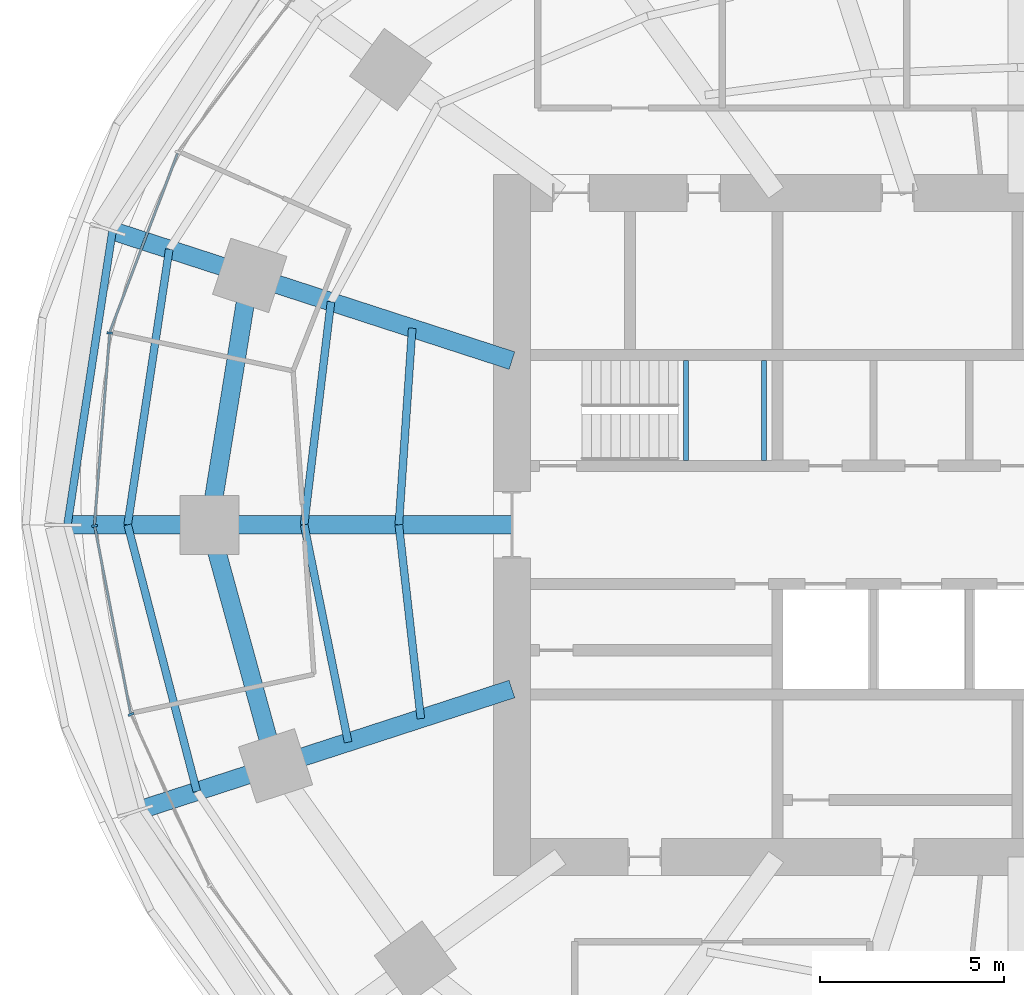
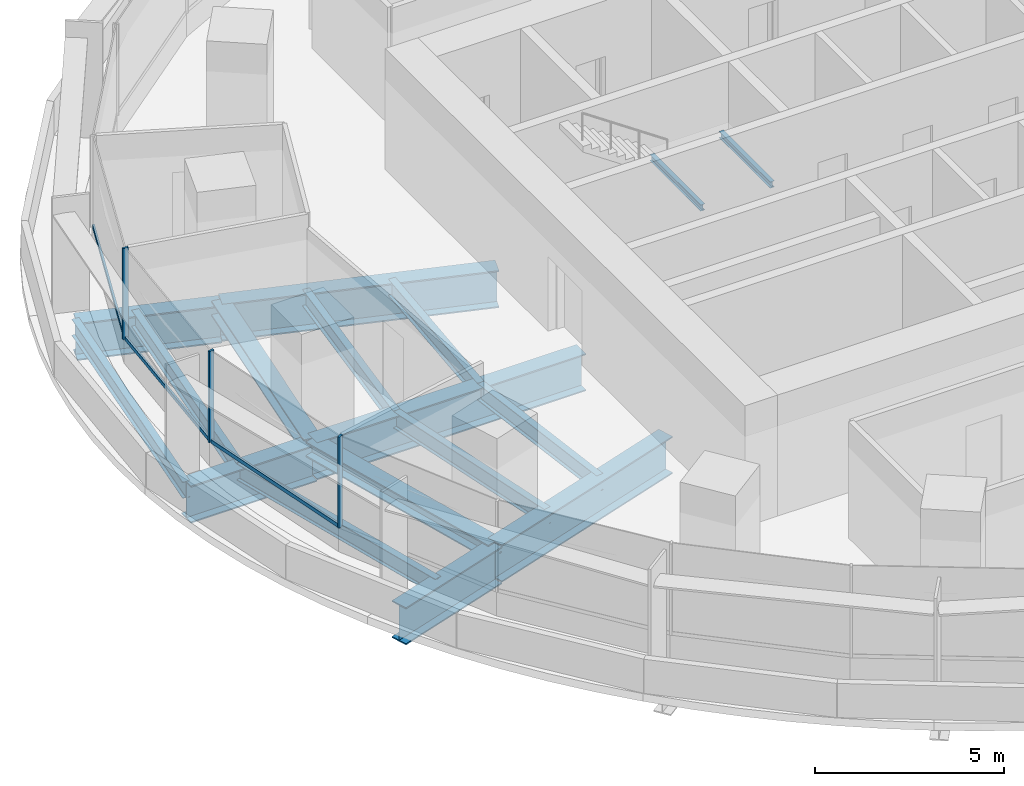
# One storey, part 4 of 15: 15 beams, 8 members, 2 elements without a shape of their own.
"""IFC4 building model written with IfcOpenShell, lengths in metres."""

from ifc_helpers import new_model, si_unit, direction, frame, origin, origin_2d, place, context, subcontext, project, spatial, rectangle, i_section, extrude, material, material_profile, profile_set, type_object, element, aggregate, save


model = new_model("IFC4")

# Units and contexts
model_context = context("Model", 3, precision=1e-05, world=origin(), true_north=direction((0.0, 1.0)))
body_context = subcontext(model_context, "Body", "Model", "MODEL_VIEW")
ifc_project = project(units=[si_unit("LENGTHUNIT", "METRE"), si_unit("AREAUNIT", "SQUARE_METRE"), si_unit("VOLUMEUNIT", "CUBIC_METRE"), si_unit("PLANEANGLEUNIT", "RADIAN"), si_unit("MASSUNIT", "GRAM", prefix="KILO")], contexts=[model_context])

# Site, building, storey
site_placement = place(None, origin())
site = spatial("IfcSite", under=ifc_project, at=site_placement, CompositionType="ELEMENT")
building_placement = place(site_placement, origin())
building = spatial("IfcBuilding", under=site, at=building_placement, Name="Marramba Exchange Tower", CompositionType="ELEMENT")
storey_placement = place(building_placement, frame((0.0, 0.0, 92.39990234375)))
storey = spatial("IfcBuildingStorey", under=building, at=storey_placement, Name="L21", CompositionType="ELEMENT", Elevation=92.39990234375)

# Members
ifc_material_1 = material(Name="Steel AS/NZS 3679.2 grade 300", Category="steel")
ifc_material_profile_1 = material_profile(ifc_material_1, i_section(OverallWidth=0.5, OverallDepth=0.47998046875, WebThickness=0.0400390625, FlangeThickness=0.0400390625, at=origin_2d()), Name="500WC440")
ifc_profile_set_1 = profile_set([ifc_material_profile_1], Name="Steel AS/NZS 3679.2 grade 300")
member_type_1 = type_object("IfcMemberType", Name="Belt truss chord 500WC440", PredefinedType="CHORD", material=ifc_profile_set_1)
member_1_placement = place(storey_placement, frame((-20.808349609375, 6.760986328125, -0.43994140625), z_axis=(-0.159384865399, -0.987216523708, 0.0), x_axis=(0.987216523708, -0.159384865399, 0.0)))
element("IfcMember", 1, at=member_1_placement, inside=storey, type_object=member_type_1, Name="Belt chord L21 TC10-TC11", PredefinedType="CHORD", context=body_context, shape_type="SweptSolid", body=[
    extrude(i_section(OverallWidth=0.5, OverallDepth=0.47998046875, WebThickness=0.0400390625, FlangeThickness=0.0400390625, at=origin_2d()), origin(), (0.0, 0.0, 1.0), 6.8486328125),
])
member_2_placement = place(storey_placement, frame((-21.89990234375, 0.0, -0.43994140625), z_axis=(0.264291166956, -0.964442937176, 0.0), x_axis=(0.964442937176, 0.264291166956, 0.0)))
element("IfcMember", 2, at=member_2_placement, inside=storey, type_object=member_type_1, Name="Belt chord L21 TC11-TC12", PredefinedType="CHORD", context=body_context, shape_type="SweptSolid", body=[
    extrude(i_section(OverallWidth=0.5, OverallDepth=0.47998046875, WebThickness=0.0400390625, FlangeThickness=0.0400390625, at=origin_2d()), origin(), (0.0, 0.0, 1.0), 6.77490234375),
])

# Beams
ifc_material_profile_2 = material_profile(ifc_material_1, i_section(OverallWidth=0.5, OverallDepth=1.199951171875, WebThickness=0.01611328125, FlangeThickness=0.0400390625, at=origin_2d()), Name="1200WB455")
ifc_profile_set_2 = profile_set([ifc_material_profile_2], Name="Steel AS/NZS 3679.2 grade 300")
beam_type_1 = type_object("IfcBeamType", Name="Cantilever girder 1200WB455", PredefinedType="BEAM", material=ifc_profile_set_2)
beam_1_placement = place(storey_placement, frame((-20.808349609375, 6.760986328125, -0.849853515625), z_axis=(-0.951058833549, 0.309009862508, 0.0), x_axis=(-0.309009862508, -0.951058833549, 0.0)))
element("IfcBeam", 3, at=beam_1_placement, inside=storey, type_object=beam_type_1, Name="Cantilever girder L21 TC10", PredefinedType="BEAM", context=body_context, shape_type="SweptSolid", body=[
    extrude(i_section(OverallWidth=0.5, OverallDepth=1.199951171875, WebThickness=0.01611328125, FlangeThickness=0.0400390625, at=origin_2d()), origin(), (0.0, 0.0, 1.0), 3.91162109375),
])
beam_2_placement = place(storey_placement, frame((-21.89990234375, 0.0, -0.849853515625), z_axis=(-1.0, 0.0, 0.0), x_axis=(0.0, -1.0, 0.0)))
element("IfcBeam", 4, at=beam_2_placement, inside=storey, type_object=beam_type_1, Name="Cantilever girder L21 TC11", PredefinedType="BEAM", context=body_context, shape_type="SweptSolid", body=[
    extrude(i_section(OverallWidth=0.5, OverallDepth=1.199951171875, WebThickness=0.01611328125, FlangeThickness=0.0400390625, at=origin_2d()), origin(), (0.0, 0.0, 1.0), 3.85009765625),
])
beam_3_placement = place(storey_placement, frame((-20.109375, -6.533935546875, -0.849853515625), z_axis=(-0.951048759501, -0.309040866314, 0.0), x_axis=(0.309040866314, -0.951048759501, 0.0)))
element("IfcBeam", 5, at=beam_3_placement, inside=storey, type_object=beam_type_1, Name="Cantilever girder L21 TC12", PredefinedType="BEAM", context=body_context, shape_type="SweptSolid", body=[
    extrude(i_section(OverallWidth=0.5, OverallDepth=1.199951171875, WebThickness=0.01611328125, FlangeThickness=0.0400390625, at=origin_2d()), origin(), (0.0, 0.0, 1.0), 3.78564453125),
])
ifc_material_2 = material(Name="Steel AS/NZS 3679.1 grade 300", Category="steel")
ifc_material_profile_3 = material_profile(ifc_material_2, i_section(OverallWidth=0.208984375, OverallDepth=0.532958984375, WebThickness=0.01025390625, FlangeThickness=0.015625, FilletRadius=0.013916015625, at=origin_2d()), Name="530UB92.4")
ifc_profile_set_3 = profile_set([ifc_material_profile_3], Name="Steel AS/NZS 3679.1 grade 300")
beam_type_2 = type_object("IfcBeamType", Name="Floor joist 530UB92.4", PredefinedType="JOIST", material=ifc_profile_set_3)
beam_4_placement = place(storey_placement, frame((-16.40283203125, 5.32958984375, -0.46630859375), z_axis=(-0.068096259546, -0.99767875563, 0.0), x_axis=(0.99767875563, -0.068096259546, 0.0)))
element("IfcBeam", 6, at=beam_4_placement, inside=storey, type_object=beam_type_2, Name="Joist L21 bay 10 row 1", PredefinedType="JOIST", context=body_context, shape_type="SweptSolid", body=[
    extrude(i_section(OverallWidth=0.208984375, OverallDepth=0.532958984375, WebThickness=0.01025390625, FlangeThickness=0.015625, FilletRadius=0.013916015625, at=origin_2d()), origin(), (0.0, 0.0, 1.0), 5.342041015625),
])
beam_5_placement = place(storey_placement, frame((-18.60546875, 6.04541015625, -0.46630859375), z_axis=(-0.119523078538, -0.992831422597, 0.0), x_axis=(0.992831422597, -0.119523078538, 0.0)))
element("IfcBeam", 7, at=beam_5_placement, inside=storey, type_object=beam_type_2, Name="Joist L21 bay 10 row 2", PredefinedType="JOIST", context=body_context, shape_type="SweptSolid", body=[
    extrude(i_section(OverallWidth=0.208984375, OverallDepth=0.532958984375, WebThickness=0.01025390625, FlangeThickness=0.015625, FilletRadius=0.013916015625, at=origin_2d()), origin(), (0.0, 0.0, 1.0), 6.089111328125),
])
beam_6_placement = place(storey_placement, frame((-16.7666015625, 0.0, -0.46630859375), z_axis=(0.112888968594, -0.993607609054, 0.0), x_axis=(0.993607609054, 0.112888968594, 0.0)))
element("IfcBeam", 8, at=beam_6_placement, inside=storey, type_object=beam_type_2, Name="Joist L21 bay 11 row 1", PredefinedType="JOIST", context=body_context, shape_type="SweptSolid", body=[
    extrude(i_section(OverallWidth=0.208984375, OverallDepth=0.532958984375, WebThickness=0.01025390625, FlangeThickness=0.015625, FilletRadius=0.013916015625, at=origin_2d()), origin(), (0.0, 0.0, 1.0), 5.28759765625),
])
beam_7_placement = place(storey_placement, frame((-19.333251953125, 0.0, -0.46630859375), z_axis=(0.198489047047, -0.980103105904, 0.0), x_axis=(0.980103105904, 0.198489047047, 0.0)))
element("IfcBeam", 9, at=beam_7_placement, inside=storey, type_object=beam_type_2, Name="Joist L21 bay 11 row 2", PredefinedType="JOIST", context=body_context, shape_type="SweptSolid", body=[
    extrude(i_section(OverallWidth=0.208984375, OverallDepth=0.532958984375, WebThickness=0.01025390625, FlangeThickness=0.015625, FilletRadius=0.013916015625, at=origin_2d()), origin(), (0.0, 0.0, 1.0), 6.013427734375),
])

# Curtain wall, member
ifc_material_3 = material(Name="Aluminium framing, bronze anodised", Category="aluminium")
curtain_wall_type = type_object("IfcCurtainWallType", Name="Office ribbon curtain wall", PredefinedType="USERDEFINED", material=ifc_material_3)
curtain_wall_1_placement = place(storey_placement, origin())
curtain_wall_1 = element("IfcCurtainWall", 10, at=curtain_wall_1_placement, inside=storey, type_object=curtain_wall_type, Name="Curtain wall CW4 L21 F11-F15", ObjectType="RIBBON CURTAIN WALL", PredefinedType="USERDEFINED")
ifc_material_4 = material(Name="Aluminium mullion, bronze anodised", Category="aluminium")
ifc_material_profile_4 = material_profile(ifc_material_4, rectangle(XDim=0.159912109375, YDim=0.06005859375, at=origin_2d()), Name="CW4 mullion 60x160")
ifc_profile_set_4 = profile_set([ifc_material_profile_4], Name="Aluminium mullion, bronze anodised")
member_type_2 = type_object("IfcMemberType", Name="Office ribbon curtain wall mullion", PredefinedType="MULLION", material=ifc_profile_set_4)
member_3_placement = place(storey_placement, frame((-24.603515625, 5.19921875, 0.800048828125), z_axis=(0.0, 0.0, 1.0), x_axis=(0.996838079455, -0.079459696383, 0.0)))
member_3 = element("IfcMember", 11, at=member_3_placement, type_object=member_type_2, Name="CW4 mullion 1", PredefinedType="MULLION", context=body_context, shape_type="SweptSolid", body=[
    extrude(rectangle(XDim=0.159912109375, YDim=0.06005859375, at=origin_2d()), origin(), (0.0, 0.0, 1.0), 2.93994140625),
])

# Curtain wall, members
curtain_wall_2_placement = place(storey_placement, origin())
curtain_wall_2 = element("IfcCurtainWall", 12, at=curtain_wall_2_placement, inside=storey, type_object=curtain_wall_type, Name="Curtain wall CW4 L21 F16-F20", ObjectType="RIBBON CURTAIN WALL", PredefinedType="USERDEFINED")
member_4_placement = place(storey_placement, frame((-25.012451171875, -0.029541015625, 0.800048828125), z_axis=(0.0, 0.0, 1.0), x_axis=(0.982125509078, 0.18822721487, 0.0)))
member_4 = element("IfcMember", 13, at=member_4_placement, type_object=member_type_2, Name="CW4 mullion 1", PredefinedType="MULLION", context=body_context, shape_type="SweptSolid", body=[
    extrude(rectangle(XDim=0.159912109375, YDim=0.06005859375, at=origin_2d()), origin(), (0.0, 0.0, 1.0), 2.93994140625),
])
member_5_placement = place(storey_placement, frame((-24.026123046875, -5.136962890625, 0.800048828125), z_axis=(0.0, 0.0, 1.0), x_axis=(0.909026713177, 0.416737848929, 0.0)))
member_5 = element("IfcMember", 14, at=member_5_placement, type_object=member_type_2, Name="CW4 mullion 1", PredefinedType="MULLION", context=body_context, shape_type="SweptSolid", body=[
    extrude(rectangle(XDim=0.159912109375, YDim=0.06005859375, at=origin_2d()), origin(), (0.0, 0.0, 1.0), 2.93994140625),
])

# Member
ifc_material_5 = material(Name="Aluminium transom, bronze anodised", Category="aluminium")
ifc_material_profile_5 = material_profile(ifc_material_5, rectangle(XDim=0.06005859375, YDim=0.1201171875, at=origin_2d()), Name="CW4 transom 60x120")
ifc_profile_set_5 = profile_set([ifc_material_profile_5], Name="Aluminium transom, bronze anodised")
member_type_3 = type_object("IfcMemberType", Name="Office ribbon curtain wall transom", PredefinedType="USERDEFINED", material=ifc_profile_set_5)
member_6_placement = place(storey_placement, frame((-22.763916015625, 10.069580078125, 0.830078125), z_axis=(-0.354851822252, -0.934922555212, 0.0), x_axis=(0.934922555212, -0.354851822252, 0.0)))
member_6 = element("IfcMember", 15, at=member_6_placement, type_object=member_type_3, Name="CW4 sill transom", ObjectType="TRANSOM", PredefinedType="USERDEFINED", context=body_context, shape_type="SweptSolid", body=[
    extrude(rectangle(XDim=0.06005859375, YDim=0.1201171875, at=origin_2d()), origin(), (0.0, 0.0, 1.0), 5.17724609375),
])

member_7_placement = place(storey_placement, frame((-24.60595703125, 5.16943359375, 0.830078125), z_axis=(-0.07946828762, -0.996837394595, 0.0), x_axis=(0.996837394595, -0.07946828762, 0.0)))
member_7 = element("IfcMember", 16, at=member_7_placement, type_object=member_type_3, Name="CW4 sill transom", ObjectType="TRANSOM", PredefinedType="USERDEFINED", context=body_context, shape_type="SweptSolid", body=[
    extrude(rectangle(XDim=0.06005859375, YDim=0.1201171875, at=origin_2d()), origin(), (0.0, 0.0, 1.0), 5.185791015625),
])

aggregate(curtain_wall_1, [member_6, member_3, member_7])

member_8_placement = place(storey_placement, frame((-25.006591796875, -0.058837890625, 0.830078125), z_axis=(0.188185293992, -0.982133542409, 0.0), x_axis=(0.982133542409, 0.188185293992, 0.0)))
member_8 = element("IfcMember", 17, at=member_8_placement, type_object=member_type_3, Name="CW4 sill transom", ObjectType="TRANSOM", PredefinedType="USERDEFINED", context=body_context, shape_type="SweptSolid", body=[
    extrude(rectangle(XDim=0.06005859375, YDim=0.1201171875, at=origin_2d()), origin(), (0.0, 0.0, 1.0), 5.142578125),
])

aggregate(curtain_wall_2, [member_4, member_8, member_5])

# Beams
ifc_material_profile_6 = material_profile(ifc_material_1, i_section(OverallWidth=0.5, OverallDepth=1.199951171875, WebThickness=0.01611328125, FlangeThickness=0.0400390625, at=origin_2d()), Name="1200WB455")
ifc_profile_set_6 = profile_set([ifc_material_profile_6], Name="Steel AS/NZS 3679.2 grade 300")
beam_type_3 = type_object("IfcBeamType", Name="Radial girder 1200WB455", PredefinedType="BEAM", material=ifc_profile_set_6)
beam_8_placement = place(storey_placement, frame((-13.699951171875, 4.451416015625, -0.7998046875), z_axis=(-0.951059990189, 0.309006302624, 0.0), x_axis=(-0.309006302624, -0.951059990189, 0.0)))
element("IfcBeam", 18, at=beam_8_placement, inside=storey, type_object=beam_type_3, Name="Radial girder L21 TC10", PredefinedType="BEAM", context=body_context, shape_type="SweptSolid", body=[
    extrude(i_section(OverallWidth=0.5, OverallDepth=1.199951171875, WebThickness=0.01611328125, FlangeThickness=0.0400390625, at=origin_2d()), origin(), (0.0, 0.0, 1.0), 7.47412109375),
])
beam_9_placement = place(storey_placement, frame((-13.699951171875, 0.0, -0.7998046875), z_axis=(-1.0, 0.0, 0.0), x_axis=(0.0, -1.0, 0.0)))
element("IfcBeam", 19, at=beam_9_placement, inside=storey, type_object=beam_type_3, Name="Radial girder L21 TC11", PredefinedType="BEAM", context=body_context, shape_type="SweptSolid", body=[
    extrude(i_section(OverallWidth=0.5, OverallDepth=1.199951171875, WebThickness=0.01611328125, FlangeThickness=0.0400390625, at=origin_2d()), origin(), (0.0, 0.0, 1.0), 8.199951171875),
])
beam_10_placement = place(storey_placement, frame((-13.699951171875, -4.451416015625, -0.7998046875), z_axis=(-0.951057759669, -0.309013167637, 0.0), x_axis=(0.309013167637, -0.951057759669, 0.0)))
element("IfcBeam", 20, at=beam_10_placement, inside=storey, type_object=beam_type_3, Name="Radial girder L21 TC12", PredefinedType="BEAM", context=body_context, shape_type="SweptSolid", body=[
    extrude(i_section(OverallWidth=0.5, OverallDepth=1.199951171875, WebThickness=0.01611328125, FlangeThickness=0.0400390625, at=origin_2d()), origin(), (0.0, 0.0, 1.0), 6.7392578125),
])
ifc_material_profile_7 = material_profile(ifc_material_2, i_section(OverallWidth=0.208984375, OverallDepth=0.528076171875, WebThickness=0.009521484375, FlangeThickness=0.01318359375, FilletRadius=0.013916015625, at=origin_2d()), Name="530UB82.0")
ifc_profile_set_7 = profile_set([ifc_material_profile_7], Name="Steel AS/NZS 3679.1 grade 300")
beam_type_4 = type_object("IfcBeamType", Name="Slab edge beam 530UB82.0", PredefinedType="SPANDREL", material=ifc_profile_set_7)
beam_11_placement = place(storey_placement, frame((-24.528564453125, 7.9697265625, -0.513916015625), z_axis=(-0.151490591645, -0.988458699513, 0.0), x_axis=(0.988458699513, -0.151490591645, 0.0)))
element("IfcBeam", 21, at=beam_11_placement, inside=storey, type_object=beam_type_4, Name="Setback roof edge beam L21 TC10-TC11", PredefinedType="SPANDREL", context=body_context, shape_type="SweptSolid", body=[
    extrude(i_section(OverallWidth=0.208984375, OverallDepth=0.528076171875, WebThickness=0.009521484375, FlangeThickness=0.01318359375, FilletRadius=0.013916015625, at=origin_2d()), origin(), (0.0, 0.0, 1.0), 8.062744140625),
])
beam_12_placement = place(storey_placement, frame((-22.98876953125, 7.469482421875, -0.4638671875), z_axis=(-0.149470297423, -0.988766216144, 0.0), x_axis=(0.988766216144, -0.149470297423, 0.0)))
element("IfcBeam", 22, at=beam_12_placement, inside=storey, type_object=beam_type_4, Name="Slab edge beam L21 TC10-TC11", PredefinedType="SPANDREL", context=body_context, shape_type="SweptSolid", body=[
    extrude(i_section(OverallWidth=0.208984375, OverallDepth=0.528076171875, WebThickness=0.009521484375, FlangeThickness=0.01318359375, FilletRadius=0.013916015625, at=origin_2d()), origin(), (0.0, 0.0, 1.0), 7.554443359375),
])
beam_13_placement = place(storey_placement, frame((-24.117919921875, 0.0, -0.4638671875), z_axis=(0.25118910736, -0.967938031252, 0.0), x_axis=(0.967938031252, 0.25118910736, 0.0)))
element("IfcBeam", 23, at=beam_13_placement, inside=storey, type_object=beam_type_4, Name="Slab edge beam L21 TC11-TC12", PredefinedType="SPANDREL", context=body_context, shape_type="SweptSolid", body=[
    extrude(i_section(OverallWidth=0.208984375, OverallDepth=0.528076171875, WebThickness=0.009521484375, FlangeThickness=0.01318359375, FilletRadius=0.013916015625, at=origin_2d()), origin(), (0.0, 0.0, 1.0), 7.466552734375),
])
ifc_material_profile_8 = material_profile(ifc_material_2, i_section(OverallWidth=0.133056640625, OverallDepth=0.202880859375, WebThickness=0.005859375, FlangeThickness=0.0078125, FilletRadius=0.0087890625, at=origin_2d()), Name="200UB25.4")
ifc_profile_set_8 = profile_set([ifc_material_profile_8], Name="Steel AS/NZS 3679.1 grade 300")
beam_type_5 = type_object("IfcBeamType", Name="Stair landing beam 200UB25.4", PredefinedType="BEAM", material=ifc_profile_set_8)
for number, where, z_axis, x_axis, name in (
    (24, (-8.9833984375, 1.75, 1.648681640625), (0.0, 1.0, 0.0), (-1.0, 0.0, 0.0), "Stair landing beam SLB1 ST1 L21 1"),
    (25, (-6.866455078125, 1.75, 1.648681640625), (0.0, 1.0, 0.0), (-1.0, 0.0, 0.0), "Stair landing beam SLB1 ST1 L21 2"),
):
    element("IfcBeam", number, at=place(storey_placement, frame(where, z_axis=z_axis, x_axis=x_axis)), inside=storey, type_object=beam_type_5, Name=name, PredefinedType="BEAM", context=body_context, shape_type="SweptSolid", body=[
        extrude(i_section(OverallWidth=0.133056640625, OverallDepth=0.202880859375, WebThickness=0.005859375, FlangeThickness=0.0078125, FilletRadius=0.0087890625, at=origin_2d()), origin(), (0.0, 0.0, 1.0), 2.699951171875),
    ])

save(model, "model.ifc")
